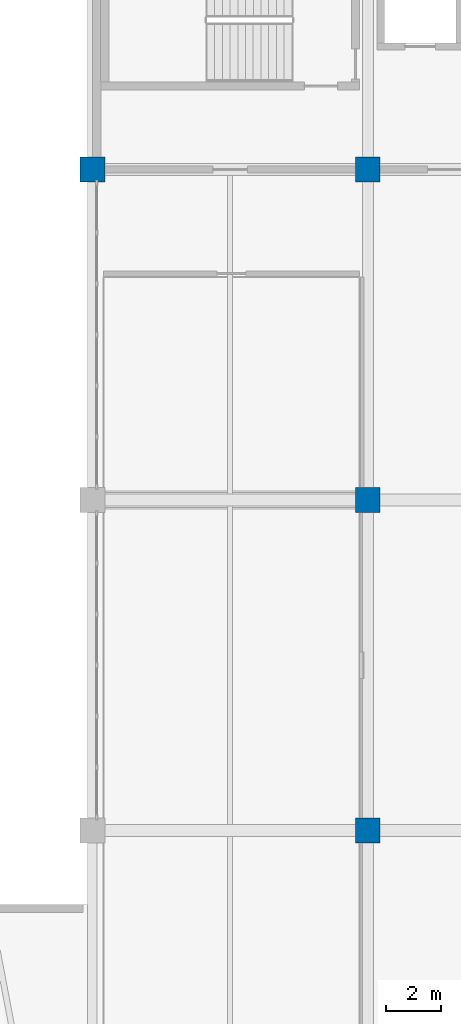
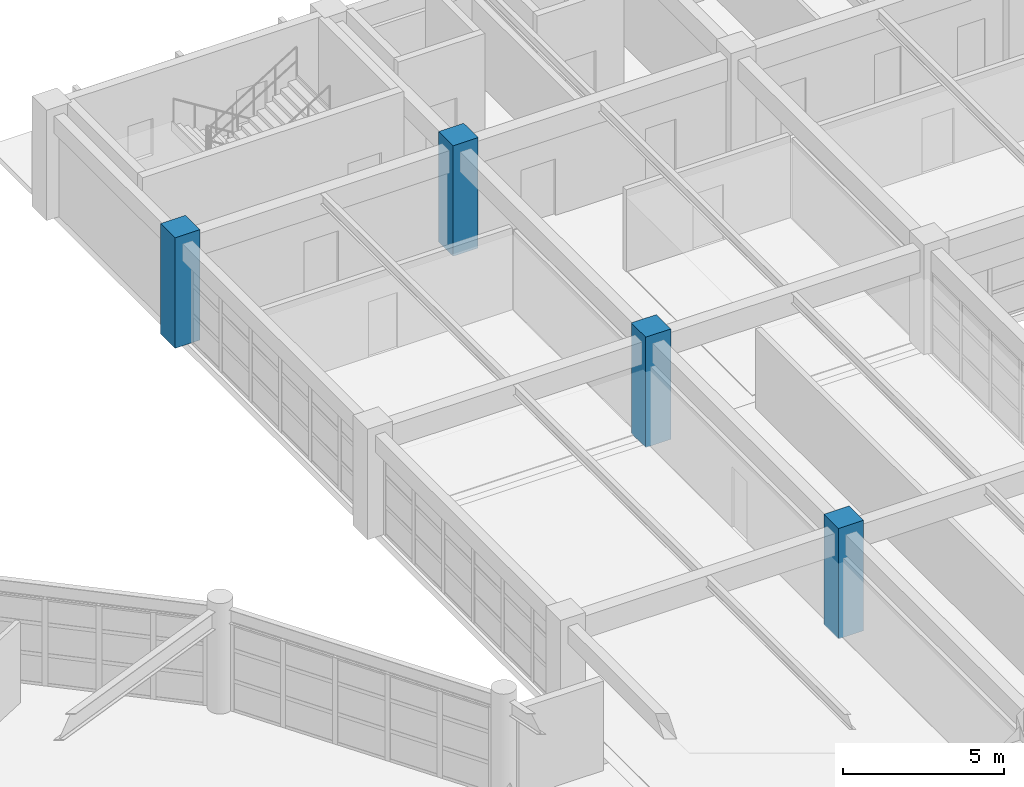
# One storey, part 14 of 100: 4 columns.
"""IFC4 building model written with IfcOpenShell, lengths in metres."""

from ifc_helpers import new_model, si_unit, direction, frame, origin, origin_2d, place, context, subcontext, project, spatial, rectangle, extrude, material, material_profile, profile_set, type_object, element, save


model = new_model("IFC4")

# Units and contexts
model_context = context("Model", 3, precision=1e-05, world=origin(), true_north=direction((0.0, 1.0)))
body_context = subcontext(model_context, "Body", "Model", "MODEL_VIEW")
ifc_project = project(units=[si_unit("LENGTHUNIT", "METRE"), si_unit("AREAUNIT", "SQUARE_METRE"), si_unit("VOLUMEUNIT", "CUBIC_METRE"), si_unit("PLANEANGLEUNIT", "RADIAN"), si_unit("MASSUNIT", "GRAM", prefix="KILO")], contexts=[model_context])

# Site, building, storey
site_placement = place(None, origin())
site = spatial("IfcSite", under=ifc_project, at=site_placement, CompositionType="ELEMENT")
building_placement = place(site_placement, origin())
building = spatial("IfcBuilding", under=site, at=building_placement, Name="Kivolera Central Railway Station", CompositionType="ELEMENT")
storey_placement = place(building_placement, frame((0.0, 0.0, 5.39990234375)))
storey = spatial("IfcBuildingStorey", under=building, at=storey_placement, Name="L01", CompositionType="ELEMENT", Elevation=5.39990234375)

# Columns
ifc_material = material(Name="Concrete C40/50", Category="concrete")
ifc_material_profile = material_profile(ifc_material, rectangle(XDim=0.89990234375, YDim=0.89990234375, at=origin_2d()), Name="RC 900x900")
ifc_profile_set = profile_set([ifc_material_profile], Name="Concrete C40/50")
column_type = type_object("IfcColumnType", Name="COL-RC-900", PredefinedType="COLUMN", material=ifc_profile_set)
for number, where, z_axis, x_axis, name in (
    (1, (118.0, 126.0, 0.0), (0.0, 0.0, 1.0), (1.0, 0.0, 0.0), "L01 Wing Column 12-L"),
    (2, (128.0, 102.0, 0.0), (0.0, 0.0, 1.0), (1.0, 0.0, 0.0), "L01 Wing Column 13-J"),
    (3, (128.0, 114.0, 0.0), (0.0, 0.0, 1.0), (1.0, 0.0, 0.0), "L01 Wing Column 13-K"),
    (4, (128.0, 126.0, 0.0), (0.0, 0.0, 1.0), (1.0, 0.0, 0.0), "L01 Wing Column 13-L"),
):
    element("IfcColumn", number, at=place(storey_placement, frame(where, z_axis=z_axis, x_axis=x_axis)), inside=storey, type_object=column_type, Name=name, PredefinedType="COLUMN", context=body_context, shape_type="SweptSolid", body=[
        extrude(rectangle(XDim=0.89990234375, YDim=0.89990234375, at=origin_2d()), origin(), (0.0, 0.0, 1.0), 4.2001953125),
    ])

save(model, "model.ifc")
